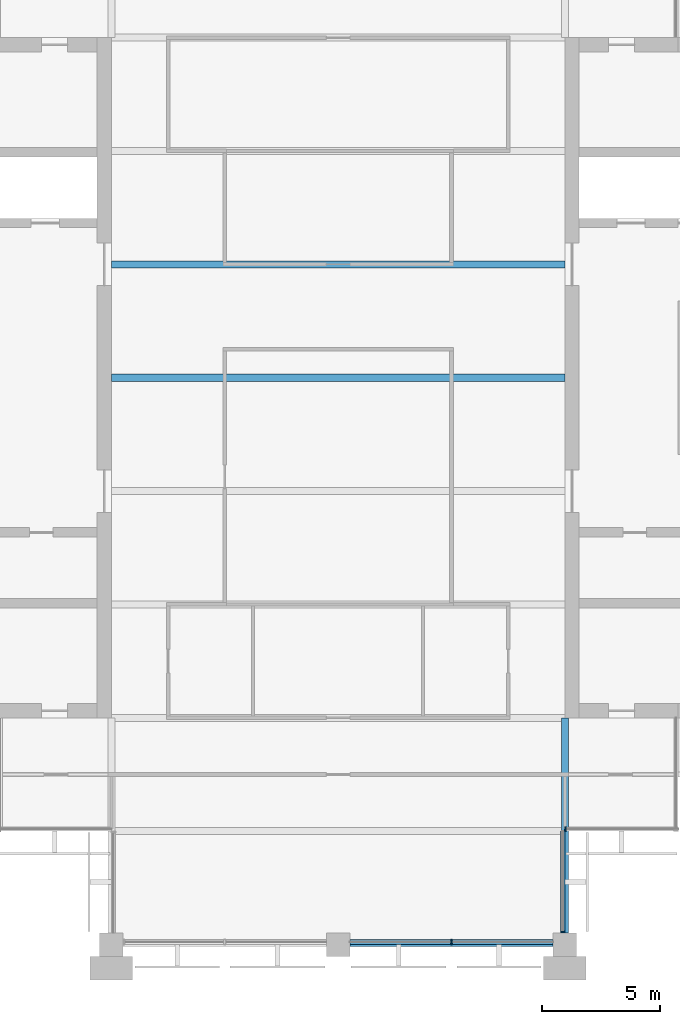
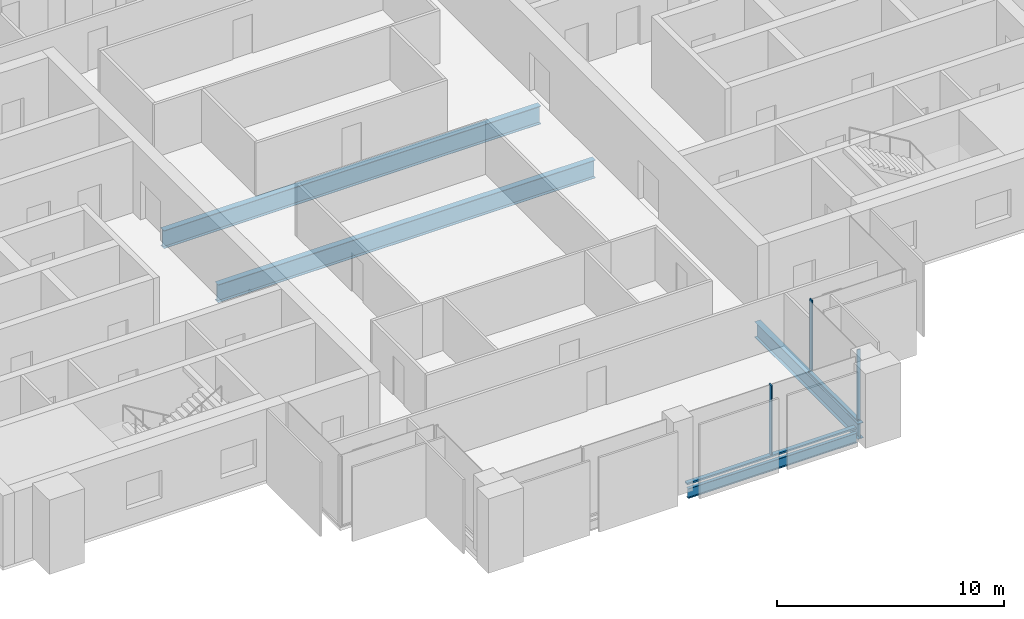
# One storey, part 3 of 12: 5 members, 4 beams, 3 elements without a shape of their own.
"""IFC4 building model written with IfcOpenShell, lengths in metres."""

from ifc_helpers import new_model, si_unit, direction, frame, origin, origin_2d, place, context, subcontext, project, spatial, rectangle, i_section, extrude, material, material_profile, profile_set, type_object, element, aggregate, save


model = new_model("IFC4")

# Units and contexts
model_context = context("Model", 3, precision=1e-05, world=origin(), true_north=direction((0.0, 1.0)))
body_context = subcontext(model_context, "Body", "Model", "MODEL_VIEW")
ifc_project = project(units=[si_unit("LENGTHUNIT", "METRE"), si_unit("AREAUNIT", "SQUARE_METRE"), si_unit("VOLUMEUNIT", "CUBIC_METRE"), si_unit("PLANEANGLEUNIT", "RADIAN"), si_unit("MASSUNIT", "GRAM", prefix="KILO")], contexts=[model_context])

# Site, building, storey
site_placement = place(None, origin())
site = spatial("IfcSite", under=ifc_project, at=site_placement, CompositionType="ELEMENT")
building_placement = place(site_placement, origin())
building = spatial("IfcBuilding", under=site, at=building_placement, Name="Baori Bourse Tower", CompositionType="ELEMENT")
storey_placement = place(building_placement, frame((0.0, 0.0, 286.300048828125)))
storey = spatial("IfcBuildingStorey", under=building, at=storey_placement, Name="L62", CompositionType="ELEMENT", Elevation=286.300048828125)

# Curtain wall, member
ifc_material_1 = material(Name="Pale anodised aluminium", Category="aluminium")
curtain_wall_type_1 = type_object("IfcCurtainWallType", Name="CW2 Curtain wall", PredefinedType="NOTDEFINED", material=ifc_material_1)
curtain_wall_1_placement = place(storey_placement, origin())
curtain_wall_1 = element("IfcCurtainWall", 1, at=curtain_wall_1_placement, inside=storey, type_object=curtain_wall_type_1, Name="Curtain wall CW2 L62 12", PredefinedType="NOTDEFINED")
ifc_material_2 = material(Name="Pale anodised aluminium", Category="aluminium")
ifc_material_profile_1 = material_profile(ifc_material_2, rectangle(XDim=0.179931640625, YDim=0.054931640625, at=origin_2d()), Name="Mullion 55x180")
ifc_profile_set_1 = profile_set([ifc_material_profile_1], Name="Pale anodised aluminium")
member_type_1 = type_object("IfcMemberType", Name="CW2 Curtain wall mullion", PredefinedType="MULLION", material=ifc_profile_set_1)
member_1_placement = place(storey_placement, frame((38.31005859375, 0.527587890625, 0.070068359375), z_axis=(0.0, 0.0, 1.0), x_axis=(-1.0, 0.0, 0.0)))
member_1 = element("IfcMember", 2, at=member_1_placement, type_object=member_type_1, Name="Curtain wall CW2 mullion", PredefinedType="MULLION", context=body_context, shape_type="SweptSolid", body=[
    extrude(rectangle(XDim=0.179931640625, YDim=0.054931640625, at=origin_2d()), origin(), (0.0, 0.0, 1.0), 3.769775390625),
])

curtain_wall_2_placement = place(storey_placement, origin())
curtain_wall_2 = element("IfcCurtainWall", 3, at=curtain_wall_2_placement, inside=storey, type_object=curtain_wall_type_1, Name="Curtain wall CW2 L62 13", PredefinedType="NOTDEFINED")
member_2_placement = place(storey_placement, frame((38.427490234375, 4.889892578125, 0.070068359375), z_axis=(0.0, 0.0, 1.0), x_axis=(0.0, 1.0, 0.0)))
member_2 = element("IfcMember", 4, at=member_2_placement, type_object=member_type_1, Name="Curtain wall CW2 mullion", PredefinedType="MULLION", context=body_context, shape_type="SweptSolid", body=[
    extrude(rectangle(XDim=0.179931640625, YDim=0.054931640625, at=origin_2d()), origin(), (0.0, 0.0, 1.0), 3.769775390625),
])
aggregate(curtain_wall_2, [member_2])

# Member
ifc_material_3 = material(Name="Pale anodised aluminium", Category="aluminium")
ifc_material_profile_2 = material_profile(ifc_material_3, rectangle(XDim=0.179931640625, YDim=0.070068359375, at=origin_2d()), Name="Transom 70x180")
ifc_profile_set_2 = profile_set([ifc_material_profile_2], Name="Pale anodised aluminium")
member_type_2 = type_object("IfcMemberType", Name="CW2 Curtain wall transom", PredefinedType="USERDEFINED", material=ifc_profile_set_2)
member_3_placement = place(storey_placement, frame((38.31005859375, 0.5, 0.034912109375), z_axis=(0.0, 1.0, 0.0), x_axis=(-1.0, 0.0, 0.0)))
member_3 = element("IfcMember", 5, at=member_3_placement, type_object=member_type_2, Name="Curtain wall CW2 sill rail", ObjectType="TRANSOM", PredefinedType="USERDEFINED", context=body_context, shape_type="SweptSolid", body=[
    extrude(rectangle(XDim=0.179931640625, YDim=0.070068359375, at=origin_2d()), origin(), (0.0, 0.0, 1.0), 4.300048828125),
])

aggregate(curtain_wall_1, [member_3, member_1])

# Curtain wall, members
ifc_material_4 = material(Name="Pale anodised aluminium", Category="aluminium")
curtain_wall_type_2 = type_object("IfcCurtainWallType", Name="CW5 Curtain wall", PredefinedType="NOTDEFINED", material=ifc_material_4)
curtain_wall_3_placement = place(storey_placement, origin())
curtain_wall_3 = element("IfcCurtainWall", 6, at=curtain_wall_3_placement, inside=storey, type_object=curtain_wall_type_2, Name="Curtain wall CW5 L62 11", PredefinedType="NOTDEFINED")
ifc_material_5 = material(Name="Pale anodised aluminium", Category="aluminium")
ifc_material_profile_3 = material_profile(ifc_material_5, rectangle(XDim=0.219970703125, YDim=0.06494140625, at=origin_2d()), Name="Mullion 65x220")
ifc_profile_set_3 = profile_set([ifc_material_profile_3], Name="Pale anodised aluminium")
member_type_3 = type_object("IfcMemberType", Name="CW5 Curtain wall mullion", PredefinedType="MULLION", material=ifc_profile_set_3)
member_4_placement = place(storey_placement, frame((33.60009765625, 0.110107421875, 0.0849609375), z_axis=(0.0, 0.0, 1.0), x_axis=(0.0, 1.0, 0.0)))
member_4 = element("IfcMember", 7, at=member_4_placement, type_object=member_type_3, Name="Curtain wall CW5 mullion", PredefinedType="MULLION", context=body_context, shape_type="SweptSolid", body=[
    extrude(rectangle(XDim=0.219970703125, YDim=0.06494140625, at=origin_2d()), origin(), (0.0, 0.0, 1.0), 3.7548828125),
])
ifc_material_6 = material(Name="Pale anodised aluminium", Category="aluminium")
ifc_material_profile_4 = material_profile(ifc_material_6, rectangle(XDim=0.219970703125, YDim=0.0849609375, at=origin_2d()), Name="Transom 85x220")
ifc_profile_set_4 = profile_set([ifc_material_profile_4], Name="Pale anodised aluminium")
member_type_4 = type_object("IfcMemberType", Name="CW5 Curtain wall transom", PredefinedType="USERDEFINED", material=ifc_profile_set_4)
member_5_placement = place(storey_placement, frame((29.300048828125, 0.110107421875, 0.04248046875), z_axis=(1.0, 0.0, 0.0), x_axis=(0.0, 1.0, 0.0)))
member_5 = element("IfcMember", 8, at=member_5_placement, type_object=member_type_4, Name="Curtain wall CW5 sill rail", ObjectType="TRANSOM", PredefinedType="USERDEFINED", context=body_context, shape_type="SweptSolid", body=[
    extrude(rectangle(XDim=0.219970703125, YDim=0.0849609375, at=origin_2d()), origin(), (0.0, 0.0, 1.0), 8.599853515625),
])
aggregate(curtain_wall_3, [member_5, member_4])

# Beams
ifc_material_7 = material(Name="Steel A992 Gr 50", Category="steel")
ifc_material_profile_5 = material_profile(ifc_material_7, i_section(OverallWidth=0.1650390625, OverallDepth=0.52587890625, WebThickness=0.0087890625, FlangeThickness=0.011474609375, at=origin_2d()), Name="W21x44")
ifc_profile_set_5 = profile_set([ifc_material_profile_5], Name="Steel A992 Gr 50")
beam_type_1 = type_object("IfcBeamType", Name="Edge beam W21x44", PredefinedType="BEAM", material=ifc_profile_set_5)
beam_1_placement = place(storey_placement, frame((29.300048828125, 0.0, -0.4228515625), z_axis=(1.0, 0.0, 0.0), x_axis=(0.0, 1.0, 0.0)))
element("IfcBeam", 9, at=beam_1_placement, inside=storey, type_object=beam_type_1, Name="Edge beam L62", PredefinedType="BEAM", context=body_context, shape_type="SweptSolid", body=[
    extrude(i_section(OverallWidth=0.1650390625, OverallDepth=0.52587890625, WebThickness=0.0087890625, FlangeThickness=0.011474609375, at=origin_2d()), origin(), (0.0, 0.0, 1.0), 8.599853515625),
])
ifc_material_8 = material(Name="Steel A992 Gr 50", Category="steel")
ifc_material_profile_6 = material_profile(ifc_material_8, i_section(OverallWidth=0.2998046875, OverallDepth=0.97021484375, WebThickness=0.01611328125, FlangeThickness=0.02099609375, at=origin_2d()), Name="W40x149")
ifc_profile_set_6 = profile_set([ifc_material_profile_6], Name="Steel A992 Gr 50")
beam_type_2 = type_object("IfcBeamType", Name="Floor beam W40x149", PredefinedType="BEAM", material=ifc_profile_set_6)
for number, where, z_axis, x_axis, name in (
    (10, (19.199951171875, 24.0, -0.645263671875), (1.0, 0.0, 0.0), (0.0, 1.0, 0.0), "Floor beam L62"),
    (11, (19.199951171875, 28.800048828125, -0.645263671875), (1.0, 0.0, 0.0), (0.0, 1.0, 0.0), "Floor beam L62"),
):
    element("IfcBeam", number, at=place(storey_placement, frame(where, z_axis=z_axis, x_axis=x_axis)), inside=storey, type_object=beam_type_2, Name=name, PredefinedType="BEAM", context=body_context, shape_type="SweptSolid", body=[
        extrude(i_section(OverallWidth=0.2998046875, OverallDepth=0.97021484375, WebThickness=0.01611328125, FlangeThickness=0.02099609375, at=origin_2d()), origin(), (0.0, 0.0, 1.0), 19.199951171875),
    ])
ifc_material_9 = material(Name="Steel A992 Gr 50", Category="steel")
ifc_material_profile_7 = material_profile(ifc_material_9, i_section(OverallWidth=0.2919921875, OverallDepth=0.835693359375, WebThickness=0.013916015625, FlangeThickness=0.018798828125, at=origin_2d()), Name="W33x118")
ifc_profile_set_7 = profile_set([ifc_material_profile_7], Name="Steel A992 Gr 50")
beam_type_3 = type_object("IfcBeamType", Name="Girder W33x118", PredefinedType="BEAM", material=ifc_profile_set_7)
beam_2_placement = place(storey_placement, frame((38.39990234375, 0.5, -0.577880859375), z_axis=(0.0, 1.0, 0.0), x_axis=(-1.0, 0.0, 0.0)))
element("IfcBeam", 12, at=beam_2_placement, inside=storey, type_object=beam_type_3, Name="Girder L62", PredefinedType="BEAM", context=body_context, shape_type="SweptSolid", body=[
    extrude(i_section(OverallWidth=0.2919921875, OverallDepth=0.835693359375, WebThickness=0.013916015625, FlangeThickness=0.018798828125, at=origin_2d()), origin(), (0.0, 0.0, 1.0), 9.10009765625),
])

save(model, "model.ifc")
